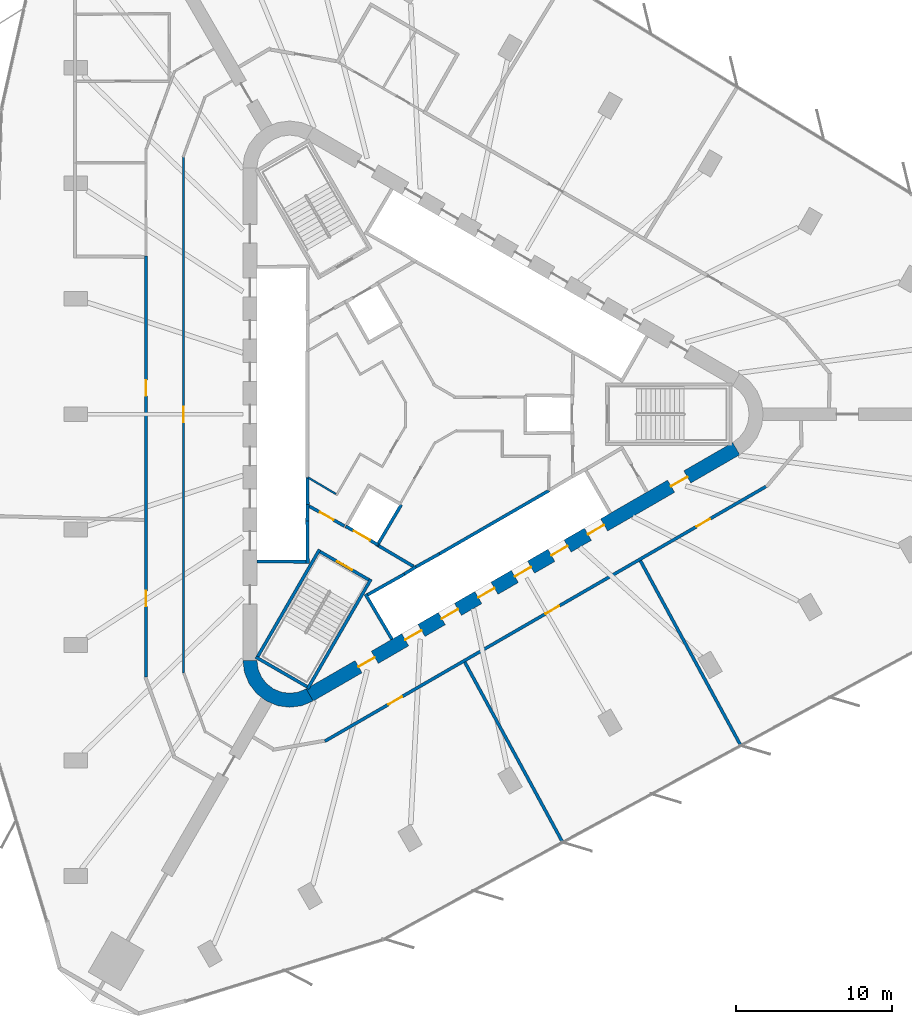
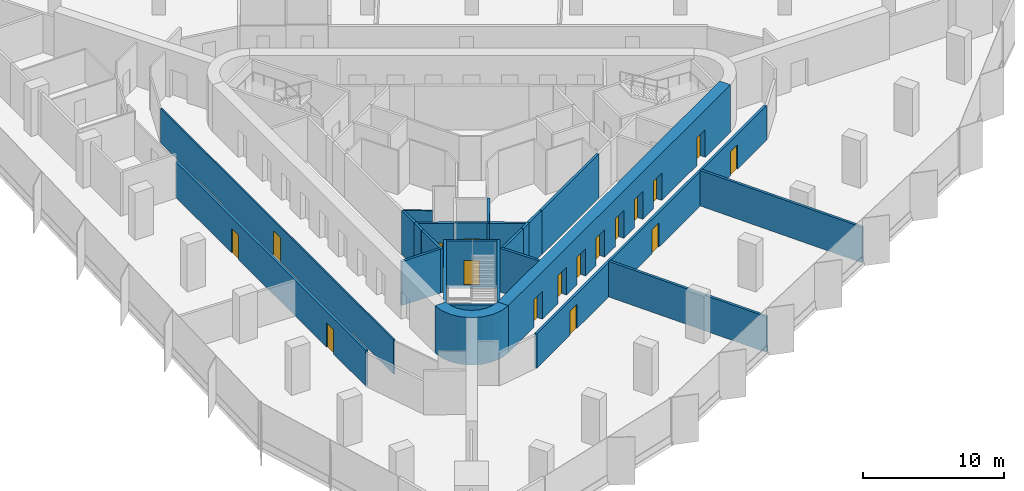
# One storey, part 9 of 14: 25 walls, 17 doors, 17 openings.
"""IFC4 building model written with IfcOpenShell, lengths in metres."""

from ifc_helpers import new_model, si_unit, direction, frame, frame_2d, origin, place, context, subcontext, project, spatial, polyline, rectangle, outline, extrude, material, layer, layer_set, type_object, element, fill, save


model = new_model("IFC4")

# Units and contexts
model_context = context("Model", 3, precision=1e-05, world=origin(), true_north=direction((0.0, 1.0)))
body_context = subcontext(model_context, "Body", "Model", "MODEL_VIEW")
ifc_project = project(units=[si_unit("LENGTHUNIT", "METRE"), si_unit("AREAUNIT", "SQUARE_METRE"), si_unit("VOLUMEUNIT", "CUBIC_METRE"), si_unit("PLANEANGLEUNIT", "RADIAN"), si_unit("MASSUNIT", "GRAM", prefix="KILO")], contexts=[model_context])

# Site, building, storey
site_placement = place(None, origin())
site = spatial("IfcSite", under=ifc_project, at=site_placement, CompositionType="ELEMENT")
building_placement = place(site_placement, origin())
building = spatial("IfcBuilding", under=site, at=building_placement, Name="Tanit Gate Tower", CompositionType="ELEMENT")
storey_placement = place(building_placement, frame((0.0, 0.0, 127.5)))
storey = spatial("IfcBuildingStorey", under=building, at=storey_placement, Name="L27", CompositionType="ELEMENT", Elevation=127.5)

# Wall, openings, doors
ifc_material_1 = material(Name="Concrete C60/75", Category="concrete")
ifc_layer_1 = layer(ifc_material_1, 0.89990234375)
ifc_layer_set_1 = layer_set([ifc_layer_1], Name="CORE WALL 900 C60/75")
wall_type_1 = type_object("IfcWallType", Name="CORE WALL 900 C60/75", PredefinedType="SHEAR", material=ifc_layer_set_1)
wall_1_placement = place(storey_placement, frame((-7.824951171875, -17.969970703125, 0.0), z_axis=(0.0, 0.0, 1.0), x_axis=(0.866028369851, 0.499994862586, 0.0)))
wall_1 = element("IfcWall", 1, at=wall_1_placement, inside=storey, type_object=wall_type_1, Name="CORE WALL", PredefinedType="SHEAR", context=body_context, shape_type="SweptSolid", body=[
    extrude(rectangle(XDim=31.523193359375, YDim=0.89990234375, at=frame_2d((15.76171875, 0.0))), origin(), (0.0, 0.0, 1.0), 4.10009765625),
])
opening_1_placement = place(wall_1_placement, frame((7.061767578125, 0.0, 0.0)))
opening_1 = element("IfcOpeningElement", 2, at=opening_1_placement, cuts=wall_1, Name="Opening LDSX1-S06", PredefinedType="OPENING", context=body_context, shape_type="SweptSolid", body=[
    extrude(rectangle(XDim=1.199951171875, YDim=2.39990234375, at=frame_2d((0.60009765625, 1.199951171875))), frame((0.0, 0.4599609375, 0.0), z_axis=(0.0, -1.0, 0.0), x_axis=(1.0, 0.0, 0.0)), (0.0, 0.0, 1.0), 0.919921875),
])
opening_2_placement = place(wall_1_placement, frame((9.76171875, 0.0, 0.0)))
opening_2 = element("IfcOpeningElement", 3, at=opening_2_placement, cuts=wall_1, Name="Opening LDSX2-S06", PredefinedType="OPENING", context=body_context, shape_type="SweptSolid", body=[
    extrude(rectangle(XDim=1.199951171875, YDim=2.39990234375, at=frame_2d((0.60009765625, 1.199951171875))), frame((0.0, 0.4599609375, 0.0), z_axis=(0.0, -1.0, 0.0), x_axis=(1.0, 0.0, 0.0)), (0.0, 0.0, 1.0), 0.919921875),
])
opening_3_placement = place(wall_1_placement, frame((12.461669921875, 0.0, 0.0)))
opening_3 = element("IfcOpeningElement", 4, at=opening_3_placement, cuts=wall_1, Name="Opening LDSX3-S06", PredefinedType="OPENING", context=body_context, shape_type="SweptSolid", body=[
    extrude(rectangle(XDim=1.199951171875, YDim=2.39990234375, at=frame_2d((0.60009765625, 1.199951171875))), frame((0.0, 0.4599609375, 0.0), z_axis=(0.0, -1.0, 0.0), x_axis=(1.0, 0.0, 0.0)), (0.0, 0.0, 1.0), 0.919921875),
])
opening_4_placement = place(wall_1_placement, frame((15.16162109375, 0.0, 0.0)))
opening_4 = element("IfcOpeningElement", 5, at=opening_4_placement, cuts=wall_1, Name="Opening LDSX4-S06", PredefinedType="OPENING", context=body_context, shape_type="SweptSolid", body=[
    extrude(rectangle(XDim=1.199951171875, YDim=2.39990234375, at=frame_2d((0.60009765625, 1.199951171875))), frame((0.0, 0.4599609375, 0.0), z_axis=(0.0, -1.0, 0.0), x_axis=(1.0, 0.0, 0.0)), (0.0, 0.0, 1.0), 0.919921875),
])
opening_5_placement = place(wall_1_placement, frame((17.861572265625, 0.0, 0.0)))
opening_5 = element("IfcOpeningElement", 6, at=opening_5_placement, cuts=wall_1, Name="Opening LDSV1-S06", PredefinedType="OPENING", context=body_context, shape_type="SweptSolid", body=[
    extrude(rectangle(XDim=1.199951171875, YDim=2.39990234375, at=frame_2d((0.60009765625, 1.199951171875))), frame((0.0, 0.4599609375, 0.0), z_axis=(0.0, -1.0, 0.0), x_axis=(1.0, 0.0, 0.0)), (0.0, 0.0, 1.0), 0.919921875),
])
opening_6_placement = place(wall_1_placement, frame((20.561767578125, 0.0, 0.0)))
opening_6 = element("IfcOpeningElement", 7, at=opening_6_placement, cuts=wall_1, Name="Opening LDSV2-S06", PredefinedType="OPENING", context=body_context, shape_type="SweptSolid", body=[
    extrude(rectangle(XDim=1.199951171875, YDim=2.39990234375, at=frame_2d((0.60009765625, 1.199951171875))), frame((0.0, 0.4599609375, 0.0), z_axis=(0.0, -1.0, 0.0), x_axis=(1.0, 0.0, 0.0)), (0.0, 0.0, 1.0), 0.919921875),
])
opening_7_placement = place(wall_1_placement, frame((26.711669921875, 0.0, 0.0)))
opening_7 = element("IfcOpeningElement", 8, at=opening_7_placement, cuts=wall_1, Name="Opening F12-S06-S1", PredefinedType="OPENING", context=body_context, shape_type="SweptSolid", body=[
    extrude(rectangle(XDim=1.199951171875, YDim=2.39990234375, at=frame_2d((0.60009765625, 1.199951171875))), frame((0.0, 0.4599609375, 0.0), z_axis=(0.0, -1.0, 0.0), x_axis=(1.0, 0.0, 0.0)), (0.0, 0.0, 1.0), 0.919921875),
])
opening_8_placement = place(wall_1_placement, frame((3.611572265625, 0.0, 0.0)))
opening_8 = element("IfcOpeningElement", 9, at=opening_8_placement, cuts=wall_1, Name="Opening F12-S06-FL3", PredefinedType="OPENING", context=body_context, shape_type="SweptSolid", body=[
    extrude(rectangle(XDim=1.199951171875, YDim=2.39990234375, at=frame_2d((0.60009765625, 1.199951171875))), frame((0.0, 0.4599609375, 0.0), z_axis=(0.0, -1.0, 0.0), x_axis=(1.0, 0.0, 0.0)), (0.0, 0.0, 1.0), 0.919921875),
])
ifc_material_2 = material(Name="Fire-rated steel door leaf", Category="steel")
door_type_1 = type_object("IfcDoorType", Name="INT-DOOR-FIRE-LOBBY-1200", OperationType="NOTDEFINED", PredefinedType="USERDEFINED", material=ifc_material_2)
door_1_placement = place(opening_7_placement, origin())
door_1 = element("IfcDoor", 10, at=door_1_placement, inside=storey, type_object=door_type_1, Name="Door F12-S06-S1", ObjectType="FIRE DOOR", OperationType="SINGLE_SWING_RIGHT", OverallHeight=2.39990234375, OverallWidth=1.199951171875, PredefinedType="USERDEFINED", context=body_context, shape_type="SweptSolid", body=[
    extrude(rectangle(XDim=1.199951171875, YDim=2.39990234375, at=frame_2d((0.60009765625, 1.199951171875))), frame((0.0, 0.02490234375, 0.0), z_axis=(0.0, -1.0, 0.0), x_axis=(1.0, 0.0, 0.0)), (0.0, 0.0, 1.0), 0.050048828125),
])
fill(opening_7, door_1)
door_2_placement = place(opening_8_placement, origin())
door_2 = element("IfcDoor", 11, at=door_2_placement, inside=storey, type_object=door_type_1, Name="Door F12-S06-FL3", ObjectType="FIRE DOOR", OperationType="SINGLE_SWING_RIGHT", OverallHeight=2.39990234375, OverallWidth=1.199951171875, PredefinedType="USERDEFINED", context=body_context, shape_type="SweptSolid", body=[
    extrude(rectangle(XDim=1.199951171875, YDim=2.39990234375, at=frame_2d((0.60009765625, 1.199951171875))), frame((0.0, 0.02490234375, 0.0), z_axis=(0.0, -1.0, 0.0), x_axis=(1.0, 0.0, 0.0)), (0.0, 0.0, 1.0), 0.050048828125),
])
fill(opening_8, door_2)
ifc_material_3 = material(Name="Stainless steel sliding door leaf", Category="steel")
door_type_2 = type_object("IfcDoorType", Name="INT-DOOR-LANDING-1200", OperationType="NOTDEFINED", PredefinedType="USERDEFINED", material=ifc_material_3)
door_3_placement = place(opening_1_placement, origin())
door_3 = element("IfcDoor", 12, at=door_3_placement, inside=storey, type_object=door_type_2, Name="Door LDSX1-S06", ObjectType="LANDING DOOR", OperationType="SLIDING_TO_LEFT", OverallHeight=2.39990234375, OverallWidth=1.199951171875, PredefinedType="USERDEFINED", context=body_context, shape_type="SweptSolid", body=[
    extrude(rectangle(XDim=1.199951171875, YDim=2.39990234375, at=frame_2d((0.60009765625, 1.199951171875))), frame((0.0, 0.02490234375, 0.0), z_axis=(0.0, -1.0, 0.0), x_axis=(1.0, 0.0, 0.0)), (0.0, 0.0, 1.0), 0.050048828125),
])
fill(opening_1, door_3)
door_4_placement = place(opening_2_placement, origin())
door_4 = element("IfcDoor", 13, at=door_4_placement, inside=storey, type_object=door_type_2, Name="Door LDSX2-S06", ObjectType="LANDING DOOR", OperationType="SLIDING_TO_LEFT", OverallHeight=2.39990234375, OverallWidth=1.199951171875, PredefinedType="USERDEFINED", context=body_context, shape_type="SweptSolid", body=[
    extrude(rectangle(XDim=1.199951171875, YDim=2.39990234375, at=frame_2d((0.60009765625, 1.199951171875))), frame((0.0, 0.02490234375, 0.0), z_axis=(0.0, -1.0, 0.0), x_axis=(1.0, 0.0, 0.0)), (0.0, 0.0, 1.0), 0.050048828125),
])
fill(opening_2, door_4)
door_5_placement = place(opening_3_placement, origin())
door_5 = element("IfcDoor", 14, at=door_5_placement, inside=storey, type_object=door_type_2, Name="Door LDSX3-S06", ObjectType="LANDING DOOR", OperationType="SLIDING_TO_LEFT", OverallHeight=2.39990234375, OverallWidth=1.199951171875, PredefinedType="USERDEFINED", context=body_context, shape_type="SweptSolid", body=[
    extrude(rectangle(XDim=1.199951171875, YDim=2.39990234375, at=frame_2d((0.60009765625, 1.199951171875))), frame((0.0, 0.02490234375, 0.0), z_axis=(0.0, -1.0, 0.0), x_axis=(1.0, 0.0, 0.0)), (0.0, 0.0, 1.0), 0.050048828125),
])
fill(opening_3, door_5)
door_6_placement = place(opening_4_placement, origin())
door_6 = element("IfcDoor", 15, at=door_6_placement, inside=storey, type_object=door_type_2, Name="Door LDSX4-S06", ObjectType="LANDING DOOR", OperationType="SLIDING_TO_LEFT", OverallHeight=2.39990234375, OverallWidth=1.199951171875, PredefinedType="USERDEFINED", context=body_context, shape_type="SweptSolid", body=[
    extrude(rectangle(XDim=1.199951171875, YDim=2.39990234375, at=frame_2d((0.60009765625, 1.199951171875))), frame((0.0, 0.02490234375, 0.0), z_axis=(0.0, -1.0, 0.0), x_axis=(1.0, 0.0, 0.0)), (0.0, 0.0, 1.0), 0.050048828125),
])
fill(opening_4, door_6)
door_7_placement = place(opening_5_placement, origin())
door_7 = element("IfcDoor", 16, at=door_7_placement, inside=storey, type_object=door_type_2, Name="Door LDSV1-S06", ObjectType="LANDING DOOR", OperationType="SLIDING_TO_LEFT", OverallHeight=2.39990234375, OverallWidth=1.199951171875, PredefinedType="USERDEFINED", context=body_context, shape_type="SweptSolid", body=[
    extrude(rectangle(XDim=1.199951171875, YDim=2.39990234375, at=frame_2d((0.60009765625, 1.199951171875))), frame((0.0, 0.02490234375, 0.0), z_axis=(0.0, -1.0, 0.0), x_axis=(1.0, 0.0, 0.0)), (0.0, 0.0, 1.0), 0.050048828125),
])
fill(opening_5, door_7)
door_8_placement = place(opening_6_placement, origin())
door_8 = element("IfcDoor", 17, at=door_8_placement, inside=storey, type_object=door_type_2, Name="Door LDSV2-S06", ObjectType="LANDING DOOR", OperationType="SLIDING_TO_LEFT", OverallHeight=2.39990234375, OverallWidth=1.199951171875, PredefinedType="USERDEFINED", context=body_context, shape_type="SweptSolid", body=[
    extrude(rectangle(XDim=1.199951171875, YDim=2.39990234375, at=frame_2d((0.60009765625, 1.199951171875))), frame((0.0, 0.02490234375, 0.0), z_axis=(0.0, -1.0, 0.0), x_axis=(1.0, 0.0, 0.0)), (0.0, 0.0, 1.0), 0.050048828125),
])
fill(opening_6, door_8)

# Walls
wall_2_placement = place(storey_placement, origin())
element("IfcWall", 18, at=wall_2_placement, inside=storey, type_object=wall_type_1, Name="CORE WALL CORNER", PredefinedType="SHEAR", context=body_context, shape_type="SweptSolid", body=[
    extrude(outline(polyline([(-12.10009765625, -15.76171875), (-11.997802734375, -16.5380859375), (-11.697998046875, -17.26171875), (-11.22119140625, -17.883056640625), (-10.60009765625, -18.359619140625), (-9.87646484375, -18.659423828125), (-9.10009765625, -18.76171875), (-8.323486328125, -18.659423828125), (-7.60009765625, -18.359619140625), (-8.050048828125, -17.580322265625), (-8.556396484375, -17.7900390625), (-9.10009765625, -17.86181640625), (-9.6435546875, -17.7900390625), (-10.14990234375, -17.580322265625), (-10.5849609375, -17.24658203125), (-10.918701171875, -16.811767578125), (-11.12841796875, -16.30517578125), (-11.199951171875, -15.76171875), (-12.10009765625, -15.76171875)])), origin(), (0.0, 0.0, 1.0), 4.10009765625),
])
ifc_material_4 = material(Name="Fire-rated gypsum board partition")
ifc_layer_2 = layer(ifc_material_4, 0.199951171875)
ifc_layer_set_2 = layer_set([ifc_layer_2], Name="INT-WALL-COMPARTMENT")
wall_type_2 = type_object("IfcWallType", Name="INT-WALL-COMPARTMENT", PredefinedType="PARTITIONING", material=ifc_layer_set_2)
wall_3_placement = place(storey_placement, frame((-3.400634765625, -8.43017578125, 0.0), z_axis=(0.0, 0.0, 1.0), x_axis=(0.860615607571, -0.509255118781, 0.0)))
element("IfcWall", 19, at=wall_3_placement, inside=storey, type_object=wall_type_2, Name="Wall Compartment W063", PredefinedType="PARTITIONING", context=body_context, shape_type="SweptSolid", body=[
    extrude(rectangle(XDim=2.58056640625, YDim=0.199951171875, at=frame_2d((1.290283203125, 0.0))), origin(), (0.0, 0.0, 1.0), 3.800048828125),
])

# Wall, opening, door
wall_4_placement = place(storey_placement, frame((-7.849365234375, -5.893798828125, 0.0), z_axis=(0.0, 0.0, 1.0), x_axis=(0.871363259478, -0.490638431059, 0.0)))
wall_4 = element("IfcWall", 20, at=wall_4_placement, inside=storey, type_object=wall_type_2, Name="Wall Compartment W064", PredefinedType="PARTITIONING", context=body_context, shape_type="SweptSolid", body=[
    extrude(rectangle(XDim=2.5810546875, YDim=0.199951171875, at=frame_2d((1.29052734375, 0.0))), origin(), (0.0, 0.0, 1.0), 3.800048828125),
])
opening_9_placement = place(wall_4_placement, frame((0.79052734375, 0.0, 0.0)))
opening_9 = element("IfcOpeningElement", 21, at=opening_9_placement, cuts=wall_4, Name="Opening F10-S06-08", PredefinedType="OPENING", context=body_context, shape_type="SweptSolid", body=[
    extrude(rectangle(XDim=1.0, YDim=2.10009765625, at=frame_2d((0.5, 1.050048828125))), frame((0.0, 0.10986328125, 0.0), z_axis=(0.0, -1.0, 0.0), x_axis=(1.0, 0.0, 0.0)), (0.0, 0.0, 1.0), 0.219970703125),
])
ifc_material_5 = material(Name="Fire-rated steel door leaf", Category="steel")
door_type_3 = type_object("IfcDoorType", Name="INT-DOOR-FIRE-1000", OperationType="NOTDEFINED", PredefinedType="USERDEFINED", material=ifc_material_5)
door_9_placement = place(opening_9_placement, origin())
door_9 = element("IfcDoor", 22, at=door_9_placement, inside=storey, type_object=door_type_3, Name="Door F10-S06-08", ObjectType="FIRE DOOR", OperationType="SINGLE_SWING_LEFT", OverallHeight=2.10009765625, OverallWidth=1.0, PredefinedType="USERDEFINED", context=body_context, shape_type="SweptSolid", body=[
    extrude(rectangle(XDim=1.0, YDim=2.10009765625, at=frame_2d((0.5, 1.050048828125))), frame((0.0, 0.02490234375, 0.0), z_axis=(0.0, -1.0, 0.0), x_axis=(1.0, 0.0, 0.0)), (0.0, 0.0, 1.0), 0.050048828125),
])
fill(opening_9, door_9)

# Wall, openings, doors
wall_5_placement = place(storey_placement, frame((-18.300048828125, 10.1298828125, 0.0), z_axis=(0.0, 0.0, 1.0), x_axis=(0.0, -1.0, 0.0)))
wall_5 = element("IfcWall", 23, at=wall_5_placement, inside=storey, type_object=wall_type_2, Name="Wall Compartment W091", PredefinedType="PARTITIONING", context=body_context, shape_type="SweptSolid", body=[
    extrude(rectangle(XDim=26.964111328125, YDim=0.199951171875, at=frame_2d((13.48193359375, 0.0))), origin(), (0.0, 0.0, 1.0), 3.080078125),
])
opening_10_placement = place(wall_5_placement, frame((21.43408203125, 0.0, 0.0)))
opening_10 = element("IfcOpeningElement", 24, at=opening_10_placement, cuts=wall_5, Name="Opening F10-S06-21", PredefinedType="OPENING", context=body_context, shape_type="SweptSolid", body=[
    extrude(rectangle(XDim=1.0, YDim=2.10009765625, at=frame_2d((0.5, 1.050048828125))), frame((0.0, 0.10986328125, 0.0), z_axis=(0.0, -1.0, 0.0), x_axis=(1.0, 0.0, 0.0)), (0.0, 0.0, 1.0), 0.219970703125),
])
opening_11_placement = place(wall_5_placement, frame((7.951904296875, 0.0, 0.0)))
opening_11 = element("IfcOpeningElement", 25, at=opening_11_placement, cuts=wall_5, Name="Opening F10-S06-22", PredefinedType="OPENING", context=body_context, shape_type="SweptSolid", body=[
    extrude(rectangle(XDim=1.0, YDim=2.10009765625, at=frame_2d((0.5, 1.050048828125))), frame((0.0, 0.10986328125, 0.0), z_axis=(0.0, -1.0, 0.0), x_axis=(1.0, 0.0, 0.0)), (0.0, 0.0, 1.0), 0.219970703125),
])
door_10_placement = place(opening_10_placement, origin())
door_10 = element("IfcDoor", 26, at=door_10_placement, inside=storey, type_object=door_type_3, Name="Door F10-S06-21", ObjectType="FIRE DOOR", OperationType="SINGLE_SWING_RIGHT", OverallHeight=2.10009765625, OverallWidth=1.0, PredefinedType="USERDEFINED", context=body_context, shape_type="SweptSolid", body=[
    extrude(rectangle(XDim=1.0, YDim=2.10009765625, at=frame_2d((0.5, 1.050048828125))), frame((0.0, 0.02490234375, 0.0), z_axis=(0.0, -1.0, 0.0), x_axis=(1.0, 0.0, 0.0)), (0.0, 0.0, 1.0), 0.050048828125),
])
fill(opening_10, door_10)
door_11_placement = place(opening_11_placement, origin())
door_11 = element("IfcDoor", 27, at=door_11_placement, inside=storey, type_object=door_type_3, Name="Door F10-S06-22", ObjectType="FIRE DOOR", OperationType="SINGLE_SWING_LEFT", OverallHeight=2.10009765625, OverallWidth=1.0, PredefinedType="USERDEFINED", context=body_context, shape_type="SweptSolid", body=[
    extrude(rectangle(XDim=1.0, YDim=2.10009765625, at=frame_2d((0.5, 1.050048828125))), frame((0.0, 0.02490234375, 0.0), z_axis=(0.0, -1.0, 0.0), x_axis=(1.0, 0.0, 0.0)), (0.0, 0.0, 1.0), 0.050048828125),
])
fill(opening_11, door_11)

wall_6_placement = place(storey_placement, frame((-6.852294921875, -20.930419921875, 0.0), z_axis=(0.0, 0.0, 1.0), x_axis=(0.866023703603, 0.500002944789, 0.0)))
wall_6 = element("IfcWall", 28, at=wall_6_placement, inside=storey, type_object=wall_type_2, Name="Wall Compartment W110", PredefinedType="PARTITIONING", context=body_context, shape_type="SweptSolid", body=[
    extrude(rectangle(XDim=32.598876953125, YDim=0.199951171875, at=frame_2d((16.29931640625, 0.0))), origin(), (0.0, 0.0, 1.0), 2.97998046875),
])
opening_12_placement = place(wall_6_placement, frame((27.462890625, 0.0, 0.0)))
opening_12 = element("IfcOpeningElement", 29, at=opening_12_placement, cuts=wall_6, Name="Opening F10-S06-26", PredefinedType="OPENING", context=body_context, shape_type="SweptSolid", body=[
    extrude(rectangle(XDim=1.0, YDim=2.10009765625, at=frame_2d((0.5, 1.050048828125))), frame((0.0, 0.10986328125, 0.0), z_axis=(0.0, -1.0, 0.0), x_axis=(1.0, 0.0, 0.0)), (0.0, 0.0, 1.0), 0.219970703125),
])
opening_13_placement = place(wall_6_placement, frame((16.30712890625, 0.0, 0.0)))
opening_13 = element("IfcOpeningElement", 30, at=opening_13_placement, cuts=wall_6, Name="Opening F10-S06-27", PredefinedType="OPENING", context=body_context, shape_type="SweptSolid", body=[
    extrude(rectangle(XDim=1.0, YDim=2.10009765625, at=frame_2d((0.5, 1.050048828125))), frame((0.0, 0.10986328125, 0.0), z_axis=(0.0, -1.0, 0.0), x_axis=(1.0, 0.0, 0.0)), (0.0, 0.0, 1.0), 0.219970703125),
])
opening_14_placement = place(wall_6_placement, frame((4.693603515625, 0.0, 0.0)))
opening_14 = element("IfcOpeningElement", 31, at=opening_14_placement, cuts=wall_6, Name="Opening F10-S06-28", PredefinedType="OPENING", context=body_context, shape_type="SweptSolid", body=[
    extrude(rectangle(XDim=1.0, YDim=2.10009765625, at=frame_2d((0.5, 1.050048828125))), frame((0.0, 0.10986328125, 0.0), z_axis=(0.0, -1.0, 0.0), x_axis=(1.0, 0.0, 0.0)), (0.0, 0.0, 1.0), 0.219970703125),
])
door_12_placement = place(opening_12_placement, origin())
door_12 = element("IfcDoor", 32, at=door_12_placement, inside=storey, type_object=door_type_3, Name="Door F10-S06-26", ObjectType="FIRE DOOR", OperationType="SINGLE_SWING_LEFT", OverallHeight=2.10009765625, OverallWidth=1.0, PredefinedType="USERDEFINED", context=body_context, shape_type="SweptSolid", body=[
    extrude(rectangle(XDim=1.0, YDim=2.10009765625, at=frame_2d((0.5, 1.050048828125))), frame((0.0, 0.02490234375, 0.0), z_axis=(0.0, -1.0, 0.0), x_axis=(1.0, 0.0, 0.0)), (0.0, 0.0, 1.0), 0.050048828125),
])
fill(opening_12, door_12)
door_13_placement = place(opening_13_placement, origin())
door_13 = element("IfcDoor", 33, at=door_13_placement, inside=storey, type_object=door_type_3, Name="Door F10-S06-27", ObjectType="FIRE DOOR", OperationType="SINGLE_SWING_RIGHT", OverallHeight=2.10009765625, OverallWidth=1.0, PredefinedType="USERDEFINED", context=body_context, shape_type="SweptSolid", body=[
    extrude(rectangle(XDim=1.0, YDim=2.10009765625, at=frame_2d((0.5, 1.050048828125))), frame((0.0, 0.02490234375, 0.0), z_axis=(0.0, -1.0, 0.0), x_axis=(1.0, 0.0, 0.0)), (0.0, 0.0, 1.0), 0.050048828125),
])
fill(opening_13, door_13)
door_14_placement = place(opening_14_placement, origin())
door_14 = element("IfcDoor", 34, at=door_14_placement, inside=storey, type_object=door_type_3, Name="Door F10-S06-28", ObjectType="FIRE DOOR", OperationType="SINGLE_SWING_RIGHT", OverallHeight=2.10009765625, OverallWidth=1.0, PredefinedType="USERDEFINED", context=body_context, shape_type="SweptSolid", body=[
    extrude(rectangle(XDim=1.0, YDim=2.10009765625, at=frame_2d((0.5, 1.050048828125))), frame((0.0, 0.02490234375, 0.0), z_axis=(0.0, -1.0, 0.0), x_axis=(1.0, 0.0, 0.0)), (0.0, 0.0, 1.0), 0.050048828125),
])
fill(opening_14, door_14)

# Walls
wall_7_placement = place(storey_placement, frame((13.34521484375, -9.384765625, 0.0), z_axis=(0.0, 0.0, 1.0), x_axis=(0.477273420177, -0.878754847721, 0.0)))
element("IfcWall", 35, at=wall_7_placement, inside=storey, type_object=wall_type_2, Name="Wall Compartment W133", PredefinedType="PARTITIONING", context=body_context, shape_type="SweptSolid", body=[
    extrude(rectangle(XDim=13.442138671875, YDim=0.199951171875, at=frame_2d((6.72119140625, 0.0))), origin(), (0.0, 0.0, 1.0), 3.080078125),
])
wall_8_placement = place(storey_placement, frame((8.3583984375, -27.3896484375, 0.0), z_axis=(0.0, 0.0, 1.0), x_axis=(-0.477258783959, 0.878762796854, 0.0)))
element("IfcWall", 36, at=wall_8_placement, inside=storey, type_object=wall_type_2, Name="Wall Compartment W134", PredefinedType="PARTITIONING", context=body_context, shape_type="SweptSolid", body=[
    extrude(rectangle(XDim=13.103759765625, YDim=0.199951171875, at=frame_2d((6.5517578125, 0.0))), origin(), (0.0, 0.0, 1.0), 3.080078125),
])
ifc_material_6 = material(Name="Gypsum board partition")
ifc_layer_3 = layer(ifc_material_6, 0.1201171875)
ifc_layer_set_3 = layer_set([ifc_layer_3], Name="INT-WALL-PARTITION")
wall_type_3 = type_object("IfcWallType", Name="INT-WALL-PARTITION", PredefinedType="PARTITIONING", material=ifc_layer_set_3)
wall_9_placement = place(storey_placement, frame((-7.949951171875, -4.041015625, 0.0), z_axis=(0.0, 0.0, 1.0), x_axis=(0.860112457103, -0.510104461004, 0.0)))
element("IfcWall", 37, at=wall_9_placement, inside=storey, type_object=wall_type_3, Name="Wall Partition W082", PredefinedType="PARTITIONING", context=body_context, shape_type="SweptSolid", body=[
    extrude(rectangle(XDim=2.1044921875, YDim=0.1201171875, at=frame_2d((1.05224609375, 0.0))), origin(), (0.0, 0.0, 1.0), 3.800048828125),
])

# Wall, opening, door
wall_10_placement = place(storey_placement, frame((-15.89990234375, 16.451171875, 0.0), z_axis=(0.0, 0.0, 1.0), x_axis=(0.0, -1.0, 0.0)))
wall_10 = element("IfcWall", 38, at=wall_10_placement, inside=storey, type_object=wall_type_3, Name="Wall Partition W085", PredefinedType="PARTITIONING", context=body_context, shape_type="SweptSolid", body=[
    extrude(rectangle(XDim=33.022216796875, YDim=0.1201171875, at=frame_2d((16.51123046875, 0.0))), origin(), (0.0, 0.0, 1.0), 2.97998046875),
])
opening_15_placement = place(wall_10_placement, frame((15.981201171875, 0.0, 0.0)))
opening_15 = element("IfcOpeningElement", 39, at=opening_15_placement, cuts=wall_10, Name="Opening D10-S06-14", PredefinedType="OPENING", context=body_context, shape_type="SweptSolid", body=[
    extrude(rectangle(XDim=1.0, YDim=2.10009765625, at=frame_2d((0.5, 1.050048828125))), frame((0.0, 0.070068359375, 0.0), z_axis=(0.0, -1.0, 0.0), x_axis=(1.0, 0.0, 0.0)), (0.0, 0.0, 1.0), 0.14013671875),
])
ifc_material_7 = material(Name="Timber door leaf", Category="wood")
door_type_4 = type_object("IfcDoorType", Name="INT-DOOR-SINGLE-1000", OperationType="NOTDEFINED", PredefinedType="NOTDEFINED", material=ifc_material_7)
door_15_placement = place(opening_15_placement, origin())
door_15 = element("IfcDoor", 40, at=door_15_placement, inside=storey, type_object=door_type_4, Name="Door D10-S06-14", OperationType="SINGLE_SWING_LEFT", OverallHeight=2.10009765625, OverallWidth=1.0, PredefinedType="NOTDEFINED", context=body_context, shape_type="SweptSolid", body=[
    extrude(rectangle(XDim=1.0, YDim=2.10009765625, at=frame_2d((0.5, 1.050048828125))), frame((0.0, 0.02490234375, 0.0), z_axis=(0.0, -1.0, 0.0), x_axis=(1.0, 0.0, 0.0)), (0.0, 0.0, 1.0), 0.050048828125),
])
fill(opening_15, door_15)

# Walls
ifc_material_8 = material(Name="Gypsum shaft wall system")
ifc_layer_4 = layer(ifc_material_8, 0.199951171875)
ifc_layer_set_4 = layer_set([ifc_layer_4], Name="INT-WALL-SHAFT")
wall_type_4 = type_object("IfcWallType", Name="INT-WALL-SHAFT", PredefinedType="PLUMBINGWALL", material=ifc_layer_set_4)
wall_11_placement = place(storey_placement, frame((-7.949951171875, -5.7724609375, 0.0), z_axis=(0.0, 0.0, 1.0), x_axis=(-0.030803413295, -0.999525462272, 0.0)))
element("IfcWall", 41, at=wall_11_placement, inside=storey, type_object=wall_type_4, Name="Wall Shaft W009", PredefinedType="PLUMBINGWALL", context=body_context, shape_type="SweptSolid", body=[
    extrude(rectangle(XDim=1.077880859375, YDim=0.199951171875, at=frame_2d((0.5390625, 0.0))), origin(), (0.0, 0.0, 1.0), 3.800048828125),
])
wall_12_placement = place(storey_placement, frame((-7.971435546875, -4.050048828125, 0.0), z_axis=(0.0, 0.0, 1.0), x_axis=(0.012042535896, -0.999927486035, 0.0)))
element("IfcWall", 42, at=wall_12_placement, inside=storey, type_object=wall_type_4, Name="Wall Shaft W010", PredefinedType="PLUMBINGWALL", context=body_context, shape_type="SweptSolid", body=[
    extrude(rectangle(XDim=1.844970703125, YDim=0.199951171875, at=frame_2d((0.92236328125, 0.0))), origin(), (0.0, 0.0, 1.0), 3.800048828125),
])
wall_13_placement = place(storey_placement, frame((-7.97900390625, -6.85009765625, 0.0), z_axis=(0.0, 0.0, 1.0), x_axis=(0.011121475088, -0.999938154483, 0.0)))
element("IfcWall", 43, at=wall_13_placement, inside=storey, type_object=wall_type_4, Name="Wall Shaft W011", PredefinedType="PLUMBINGWALL", context=body_context, shape_type="SweptSolid", body=[
    extrude(rectangle(XDim=2.7001953125, YDim=0.199951171875, at=frame_2d((1.35009765625, 0.0))), origin(), (0.0, 0.0, 1.0), 3.800048828125),
])
wall_14_placement = place(storey_placement, frame((-8.050048828125, -9.448974609375, 0.0), z_axis=(0.0, 0.0, 1.0), x_axis=(-0.999957467379, 0.009222983926, 0.0)))
element("IfcWall", 44, at=wall_14_placement, inside=storey, type_object=wall_type_4, Name="Wall Shaft W012", PredefinedType="PLUMBINGWALL", context=body_context, shape_type="SweptSolid", body=[
    extrude(rectangle(XDim=3.150146484375, YDim=0.199951171875, at=frame_2d((1.5751953125, 0.0))), origin(), (0.0, 0.0, 1.0), 3.800048828125),
])
wall_15_placement = place(storey_placement, frame((0.482666015625, -8.935791015625, 0.0), z_axis=(0.0, 0.0, 1.0), x_axis=(0.866030989016, 0.499990325971, 0.0)))
element("IfcWall", 45, at=wall_15_placement, inside=storey, type_object=wall_type_4, Name="Wall Shaft W031", PredefinedType="PLUMBINGWALL", context=body_context, shape_type="SweptSolid", body=[
    extrude(rectangle(XDim=8.099853515625, YDim=0.199951171875, at=frame_2d((4.0498046875, 0.0))), origin(), (0.0, 0.0, 1.0), 3.800048828125),
])
wall_16_placement = place(storey_placement, frame((-2.557861328125, -14.409423828125, 0.0), z_axis=(0.0, 0.0, 1.0), x_axis=(-0.507997497166, 0.861358544901, 0.0)))
element("IfcWall", 46, at=wall_16_placement, inside=storey, type_object=wall_type_4, Name="Wall Shaft W027", PredefinedType="PLUMBINGWALL", context=body_context, shape_type="SweptSolid", body=[
    extrude(rectangle(XDim=3.350341796875, YDim=0.199951171875, at=frame_2d((1.67529296875, 0.0))), origin(), (0.0, 0.0, 1.0), 3.800048828125),
])
wall_17_placement = place(storey_placement, frame((-1.7685546875, -10.23681640625, 0.0), z_axis=(0.0, 0.0, 1.0), x_axis=(-0.871534483978, -0.490334215854, 0.0)))
element("IfcWall", 47, at=wall_17_placement, inside=storey, type_object=wall_type_4, Name="Wall Shaft W028", PredefinedType="PLUMBINGWALL", context=body_context, shape_type="SweptSolid", body=[
    extrude(rectangle(XDim=2.7001953125, YDim=0.199951171875, at=frame_2d((1.35009765625, 0.0))), origin(), (0.0, 0.0, 1.0), 3.800048828125),
])
wall_18_placement = place(storey_placement, frame((-1.02392578125, -9.77099609375, 0.0), z_axis=(0.0, 0.0, 1.0), x_axis=(-0.850348075135, -0.526220629693, 0.0)))
element("IfcWall", 48, at=wall_18_placement, inside=storey, type_object=wall_type_4, Name="Wall Shaft W029", PredefinedType="PLUMBINGWALL", context=body_context, shape_type="SweptSolid", body=[
    extrude(rectangle(XDim=0.878173828125, YDim=0.199951171875, at=frame_2d((0.43896484375, 0.0))), origin(), (0.0, 0.0, 1.0), 3.800048828125),
])
wall_19_placement = place(storey_placement, frame((-1.130126953125, -9.831298828125, 0.0), z_axis=(0.0, 0.0, 1.0), x_axis=(0.874269620932, 0.485440655401, 0.0)))
element("IfcWall", 49, at=wall_19_placement, inside=storey, type_object=wall_type_4, Name="Wall Shaft W030", PredefinedType="PLUMBINGWALL", context=body_context, shape_type="SweptSolid", body=[
    extrude(rectangle(XDim=1.8447265625, YDim=0.199951171875, at=frame_2d((0.92236328125, 0.0))), origin(), (0.0, 0.0, 1.0), 3.800048828125),
])

# Wall, opening, door
wall_20_placement = place(storey_placement, frame((-3.44580078125, -8.3681640625, 0.0), z_axis=(0.0, 0.0, 1.0), x_axis=(-0.866024647952, 0.500001309137, 0.0)))
wall_20 = element("IfcWall", 50, at=wall_20_placement, inside=storey, type_object=wall_type_4, Name="Wall Shaft W053", PredefinedType="PLUMBINGWALL", context=body_context, shape_type="SweptSolid", body=[
    extrude(rectangle(XDim=2.39990234375, YDim=0.199951171875, at=frame_2d((1.199951171875, 0.0))), origin(), (0.0, 0.0, 1.0), 3.800048828125),
])
opening_16_placement = place(wall_20_placement, frame((0.60009765625, 0.0, 0.0)))
opening_16 = element("IfcOpeningElement", 51, at=opening_16_placement, cuts=wall_20, Name="Opening LDFL3-L27", PredefinedType="OPENING", context=body_context, shape_type="SweptSolid", body=[
    extrude(rectangle(XDim=1.199951171875, YDim=2.39990234375, at=frame_2d((0.60009765625, 1.199951171875))), frame((0.0, 0.10986328125, 0.0), z_axis=(0.0, -1.0, 0.0), x_axis=(1.0, 0.0, 0.0)), (0.0, 0.0, 1.0), 0.219970703125),
])
door_16_placement = place(opening_16_placement, origin())
door_16 = element("IfcDoor", 52, at=door_16_placement, inside=storey, type_object=door_type_2, Name="Door LDFL3-L27", ObjectType="LANDING DOOR", OperationType="SLIDING_TO_LEFT", OverallHeight=2.39990234375, OverallWidth=1.199951171875, PredefinedType="USERDEFINED", context=body_context, shape_type="SweptSolid", body=[
    extrude(rectangle(XDim=1.199951171875, YDim=2.39990234375, at=frame_2d((0.60009765625, 1.199951171875))), frame((0.0, 0.02490234375, 0.0), z_axis=(0.0, -1.0, 0.0), x_axis=(1.0, 0.0, 0.0)), (0.0, 0.0, 1.0), 0.050048828125),
])
fill(opening_16, door_16)

# Walls
wall_21_placement = place(storey_placement, frame((-1.960693359375, -5.796142578125, 0.0), z_axis=(0.0, 0.0, 1.0), x_axis=(-0.508647062354, -0.860975125052, 0.0)))
element("IfcWall", 53, at=wall_21_placement, inside=storey, type_object=wall_type_4, Name="Wall Shaft W054", PredefinedType="PLUMBINGWALL", context=body_context, shape_type="SweptSolid", body=[
    extrude(rectangle(XDim=3.10009765625, YDim=0.199951171875, at=frame_2d((1.550048828125, 0.0))), origin(), (0.0, 0.0, 1.0), 3.800048828125),
])
ifc_material_9 = material(Name="Concrete C40/50", Category="concrete")
ifc_layer_5 = layer(ifc_material_9, 0.199951171875)
ifc_layer_set_5 = layer_set([ifc_layer_5], Name="INT-WALL-STAIR")
wall_type_5 = type_object("IfcWallType", Name="INT-WALL-STAIR", PredefinedType="SHEAR", material=ifc_layer_set_5)
wall_22_placement = place(storey_placement, frame((-3.904541015625, -10.56298828125, -0.300048828125), z_axis=(0.0, 0.0, 1.0), x_axis=(-0.500012932018, -0.866017937352, 0.0)))
element("IfcWall", 54, at=wall_22_placement, inside=storey, type_object=wall_type_5, Name="Wall Stair W049", PredefinedType="SHEAR", context=body_context, shape_type="SweptSolid", body=[
    extrude(rectangle(XDim=8.099853515625, YDim=0.199951171875, at=frame_2d((4.0498046875, 0.0))), origin(), (0.0, 0.0, 1.0), 4.10009765625),
])
wall_23_placement = place(storey_placement, frame((-11.281982421875, -15.541015625, -0.300048828125), z_axis=(0.0, 0.0, 1.0), x_axis=(0.866000483506, -0.500043160704, 0.0)))
element("IfcWall", 55, at=wall_23_placement, inside=storey, type_object=wall_type_5, Name="Wall Stair W050", PredefinedType="SHEAR", context=body_context, shape_type="SweptSolid", body=[
    extrude(rectangle(XDim=3.800048828125, YDim=0.199951171875, at=frame_2d((1.89990234375, 0.0))), origin(), (0.0, 0.0, 1.0), 4.10009765625),
])
wall_24_placement = place(storey_placement, frame((-7.195556640625, -8.662841796875, -0.300048828125), z_axis=(0.0, 0.0, 1.0), x_axis=(-0.499997992926, -0.866026562566, 0.0)))
element("IfcWall", 56, at=wall_24_placement, inside=storey, type_object=wall_type_5, Name="Wall Stair W051", PredefinedType="SHEAR", context=body_context, shape_type="SweptSolid", body=[
    extrude(rectangle(XDim=7.89990234375, YDim=0.199951171875, at=frame_2d((3.949951171875, 0.0))), origin(), (0.0, 0.0, 1.0), 4.10009765625),
])

# Wall, opening, door
wall_25_placement = place(storey_placement, frame((-4.041259765625, -10.599365234375, -0.300048828125), z_axis=(0.0, 0.0, 1.0), x_axis=(-0.866047807691, 0.499961193289, 0.0)))
wall_25 = element("IfcWall", 57, at=wall_25_placement, inside=storey, type_object=wall_type_5, Name="Wall Stair W052", PredefinedType="SHEAR", context=body_context, shape_type="SweptSolid", body=[
    extrude(rectangle(XDim=3.599853515625, YDim=0.199951171875, at=frame_2d((1.7998046875, 0.0))), origin(), (0.0, 0.0, 1.0), 4.10009765625),
])
opening_17_placement = place(wall_25_placement, frame((1.25, 0.0, 0.300048828125)))
opening_17 = element("IfcOpeningElement", 58, at=opening_17_placement, cuts=wall_25, Name="Opening S11-S06-07", PredefinedType="OPENING", context=body_context, shape_type="SweptSolid", body=[
    extrude(rectangle(XDim=1.10009765625, YDim=2.10009765625, at=frame_2d((0.550048828125, 1.050048828125))), frame((0.0, 0.10986328125, 0.0), z_axis=(0.0, -1.0, 0.0), x_axis=(1.0, 0.0, 0.0)), (0.0, 0.0, 1.0), 0.219970703125),
])
ifc_material_10 = material(Name="Timber door leaf", Category="wood")
door_type_5 = type_object("IfcDoorType", Name="INT-DOOR-STAIR-1100", OperationType="NOTDEFINED", PredefinedType="USERDEFINED", material=ifc_material_10)
door_17_placement = place(opening_17_placement, origin())
door_17 = element("IfcDoor", 59, at=door_17_placement, inside=storey, type_object=door_type_5, Name="Door S11-S06-07", ObjectType="FIRE DOOR", OperationType="SINGLE_SWING_RIGHT", OverallHeight=2.10009765625, OverallWidth=1.10009765625, PredefinedType="USERDEFINED", context=body_context, shape_type="SweptSolid", body=[
    extrude(rectangle(XDim=1.10009765625, YDim=2.10009765625, at=frame_2d((0.550048828125, 1.050048828125))), frame((0.0, 0.02490234375, 0.0), z_axis=(0.0, -1.0, 0.0), x_axis=(1.0, 0.0, 0.0)), (0.0, 0.0, 1.0), 0.050048828125),
])
fill(opening_17, door_17)

save(model, "model.ifc")
